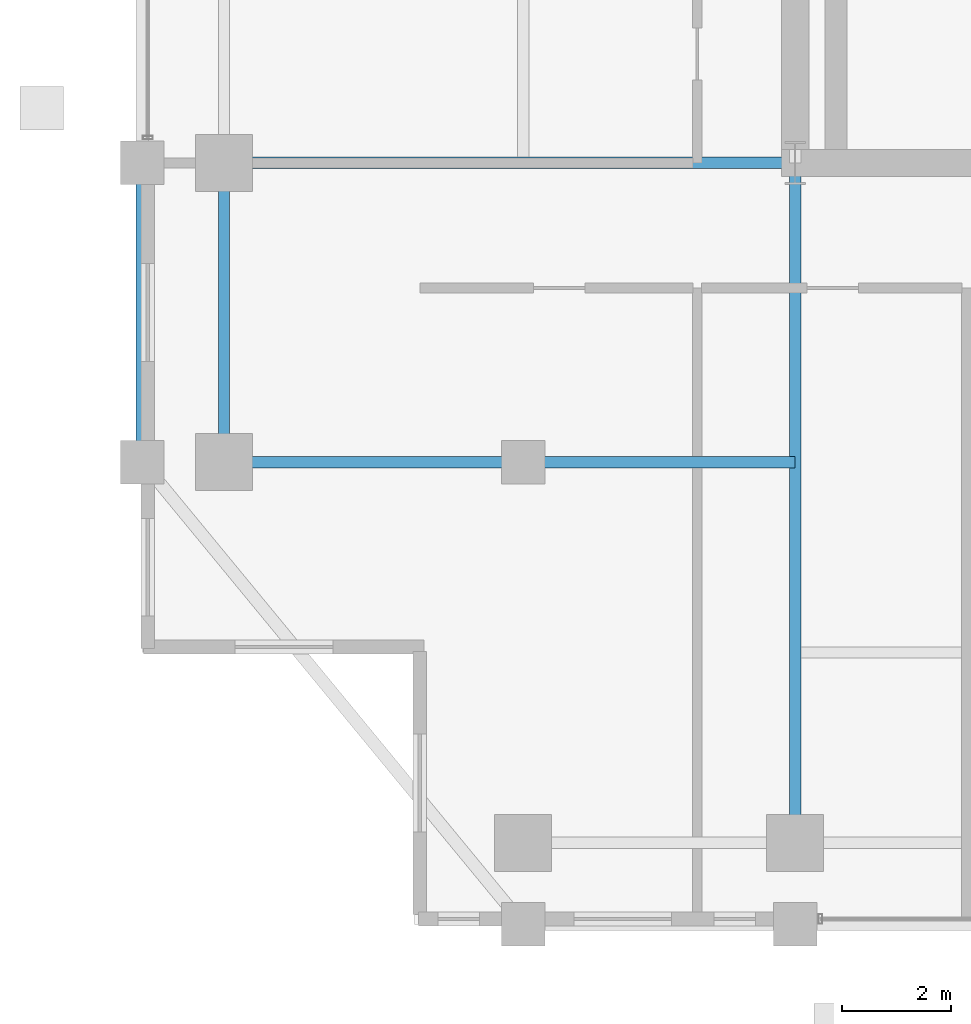
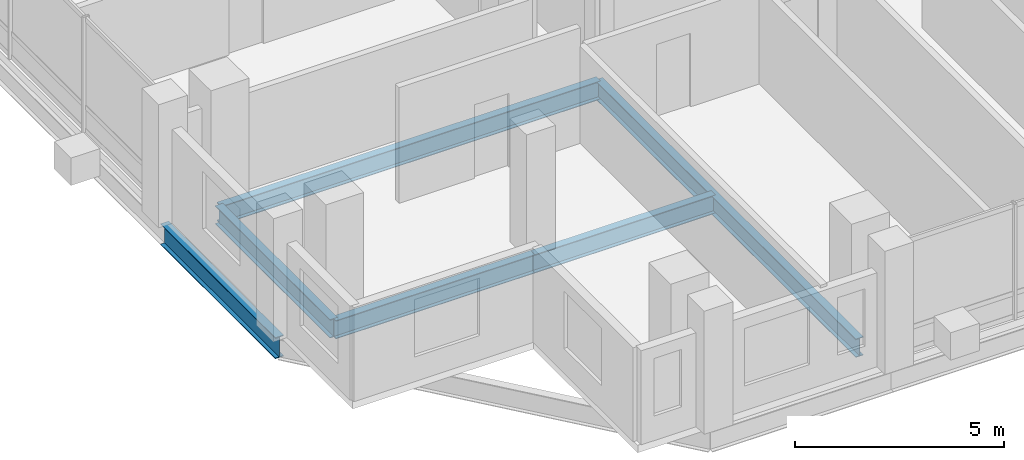
# One storey, part 3 of 24: 6 beams.
"""IFC4 building model written with IfcOpenShell, lengths in metres."""

from ifc_helpers import new_model, si_unit, direction, frame, origin, origin_2d, place, context, subcontext, project, spatial, i_section, extrude, material, material_profile, profile_set, type_object, element, save


model = new_model("IFC4")

# Units and contexts
model_context = context("Model", 3, precision=1e-05, world=origin(), true_north=direction((0.0, 1.0)))
body_context = subcontext(model_context, "Body", "Model", "MODEL_VIEW")
ifc_project = project(units=[si_unit("LENGTHUNIT", "METRE"), si_unit("AREAUNIT", "SQUARE_METRE"), si_unit("VOLUMEUNIT", "CUBIC_METRE"), si_unit("PLANEANGLEUNIT", "RADIAN"), si_unit("MASSUNIT", "GRAM", prefix="KILO")], contexts=[model_context])

# Site, building, storey
site_placement = place(None, origin())
site = spatial("IfcSite", under=ifc_project, at=site_placement, CompositionType="ELEMENT")
building_placement = place(site_placement, origin())
building = spatial("IfcBuilding", under=site, at=building_placement, Name="Barlavira Tower and Art Museum", CompositionType="ELEMENT")
storey_placement = place(building_placement, frame((0.0, 0.0, 180.0)))
storey = spatial("IfcBuildingStorey", under=building, at=storey_placement, Name="L46", CompositionType="ELEMENT", Elevation=180.0)

# Beams
ifc_material = material(Name="Steel S355", Category="steel")
ifc_material_profile_1 = material_profile(ifc_material, i_section(OverallWidth=0.22998046875, OverallDepth=0.616943359375, WebThickness=0.01318359375, FlangeThickness=0.022216796875, at=origin_2d()), Name="W610x140.0")
ifc_profile_set_1 = profile_set([ifc_material_profile_1], Name="Steel S355")
beam_type_1 = type_object("IfcBeamType", Name="Upper Shaft Spandrel Edge Beam W610x140 Steel S355", PredefinedType="SPANDREL", material=ifc_profile_set_1)
beam_1_placement = place(storey_placement, frame((-18.5, -13.0, -0.528564453125), z_axis=(0.0, 1.0, 0.0), x_axis=(-1.0, 0.0, 0.0)))
element("IfcBeam", 1, at=beam_1_placement, inside=storey, type_object=beam_type_1, Name="L46 Spandrel 15", PredefinedType="SPANDREL", context=body_context, shape_type="SweptSolid", body=[
    extrude(i_section(OverallWidth=0.22998046875, OverallDepth=0.616943359375, WebThickness=0.01318359375, FlangeThickness=0.022216796875, at=origin_2d()), origin(), (0.0, 0.0, 1.0), 5.5),
])
ifc_material_profile_2 = material_profile(ifc_material, i_section(OverallWidth=0.2109375, OverallDepth=0.5390625, WebThickness=0.01171875, FlangeThickness=0.018798828125, at=origin_2d()), Name="W530x109.0")
ifc_profile_set_2 = profile_set([ifc_material_profile_2], Name="Steel S355")
beam_type_2 = type_object("IfcBeamType", Name="Zone 3-4 Primary Floor Girder W530x109 Steel S355", PredefinedType="BEAM", material=ifc_profile_set_2)
beam_2_placement = place(storey_placement, frame((-17.0, -13.0, -0.489501953125), z_axis=(0.0, 1.0, 0.0), x_axis=(-1.0, 0.0, 0.0)))
element("IfcBeam", 2, at=beam_2_placement, inside=storey, type_object=beam_type_2, Name="L46 Girder M-W1", PredefinedType="BEAM", context=body_context, shape_type="SweptSolid", body=[
    extrude(i_section(OverallWidth=0.2109375, OverallDepth=0.5390625, WebThickness=0.01171875, FlangeThickness=0.018798828125, at=origin_2d()), origin(), (0.0, 0.0, 1.0), 5.5),
])
beam_3_placement = place(storey_placement, frame((-6.5, -20.0, -0.489501953125), z_axis=(0.0, 1.0, 0.0), x_axis=(-1.0, 0.0, 0.0)))
element("IfcBeam", 3, at=beam_3_placement, inside=storey, type_object=beam_type_2, Name="L46 Girder R-S1", PredefinedType="BEAM", context=body_context, shape_type="SweptSolid", body=[
    extrude(i_section(OverallWidth=0.2109375, OverallDepth=0.5390625, WebThickness=0.01171875, FlangeThickness=0.018798828125, at=origin_2d()), origin(), (0.0, 0.0, 1.0), 12.5),
])
beam_4_placement = place(storey_placement, frame((-17.0, -7.5, -0.489501953125), z_axis=(1.0, 0.0, 0.0), x_axis=(0.0, 1.0, 0.0)))
element("IfcBeam", 4, at=beam_4_placement, inside=storey, type_object=beam_type_2, Name="L46 Girder R-W1", PredefinedType="BEAM", context=body_context, shape_type="SweptSolid", body=[
    extrude(i_section(OverallWidth=0.2109375, OverallDepth=0.5390625, WebThickness=0.01171875, FlangeThickness=0.018798828125, at=origin_2d()), origin(), (0.0, 0.0, 1.0), 10.5),
])
beam_5_placement = place(storey_placement, frame((-17.0, -13.0, -0.489501953125), z_axis=(1.0, 0.0, 0.0), x_axis=(0.0, 1.0, 0.0)))
element("IfcBeam", 5, at=beam_5_placement, inside=storey, type_object=beam_type_2, Name="L46 Girder I-S1", PredefinedType="BEAM", context=body_context, shape_type="SweptSolid", body=[
    extrude(i_section(OverallWidth=0.2109375, OverallDepth=0.5390625, WebThickness=0.01171875, FlangeThickness=0.018798828125, at=origin_2d()), origin(), (0.0, 0.0, 1.0), 5.5),
])
beam_6_placement = place(storey_placement, frame((-11.5, -13.0, -0.489501953125), z_axis=(1.0, 0.0, 0.0), x_axis=(0.0, 1.0, 0.0)))
element("IfcBeam", 6, at=beam_6_placement, inside=storey, type_object=beam_type_2, Name="L46 Girder I-S2", PredefinedType="BEAM", context=body_context, shape_type="SweptSolid", body=[
    extrude(i_section(OverallWidth=0.2109375, OverallDepth=0.5390625, WebThickness=0.01171875, FlangeThickness=0.018798828125, at=origin_2d()), origin(), (0.0, 0.0, 1.0), 5.0),
])

save(model, "model.ifc")
